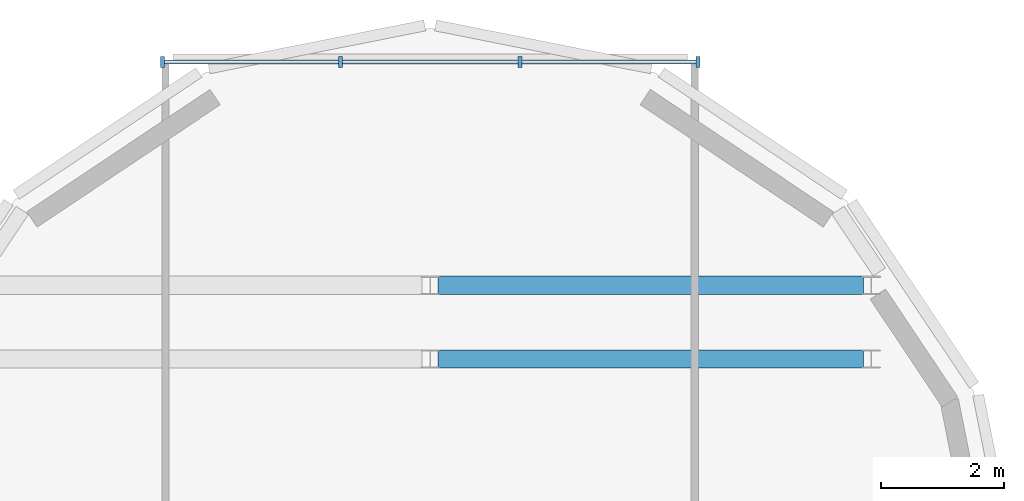
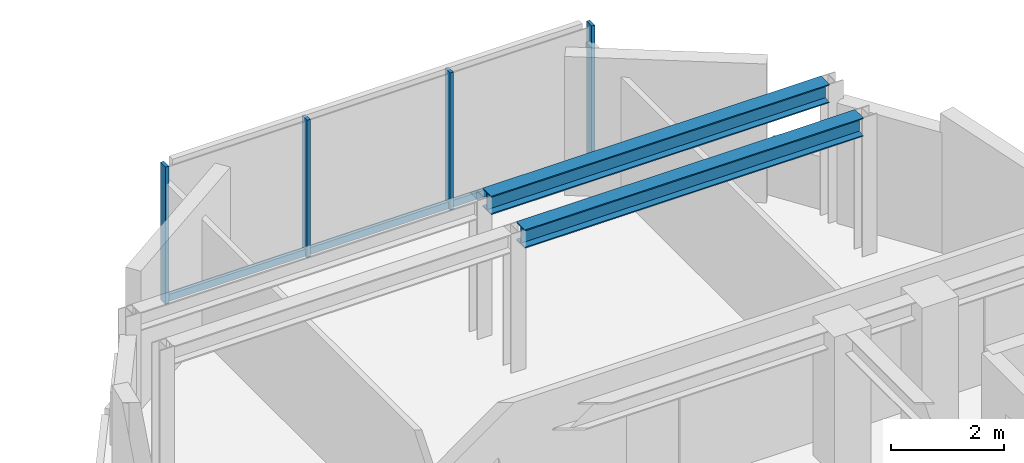
# One storey, part 6 of 12: 7 members, 2 beams, 1 element without a shape of its own.
"""IFC4 building model written with IfcOpenShell, lengths in metres."""

from ifc_helpers import new_model, si_unit, direction, frame, origin, origin_2d, place, context, subcontext, project, spatial, rectangle, i_section, extrude, source, transform, mapped, material, material_profile, profile_set, type_object, element, aggregate, save


model = new_model("IFC4")

# Units and contexts
model_context = context("Model", 3, precision=1e-05, world=origin(), true_north=direction((0.0, 1.0)))
body_context = subcontext(model_context, "Body", "Model", "MODEL_VIEW")
ifc_project = project(units=[si_unit("LENGTHUNIT", "METRE"), si_unit("AREAUNIT", "SQUARE_METRE"), si_unit("VOLUMEUNIT", "CUBIC_METRE"), si_unit("PLANEANGLEUNIT", "RADIAN"), si_unit("MASSUNIT", "GRAM", prefix="KILO")], contexts=[model_context])

# Site, building, storey
site_placement = place(None, origin())
site = spatial("IfcSite", under=ifc_project, at=site_placement, CompositionType="ELEMENT")
building_placement = place(site_placement, origin())
building = spatial("IfcBuilding", under=site, at=building_placement, Name="Keilestroom Media Tower", CompositionType="ELEMENT")
storey_placement = place(building_placement, frame((0.0, 0.0, 242.800048828125)))
storey = spatial("IfcBuildingStorey", under=building, at=storey_placement, Name="L67", CompositionType="ELEMENT", Elevation=242.800048828125)

# Beams
ifc_material_1 = material(Name="Steel S355", Category="steel")
ifc_material_profile_1 = material_profile(ifc_material_1, i_section(OverallWidth=0.300048828125, OverallDepth=0.39990234375, WebThickness=0.011474609375, FlangeThickness=0.02392578125, at=origin_2d()), Name="HEB 400")
ifc_profile_set_1 = profile_set([ifc_material_profile_1], Name="Steel S355")
beam_type = type_object("IfcBeamType", Name="Primary-Structural-Girder-HEB-400", PredefinedType="BEAM", material=ifc_profile_set_1)
shared_shape_1 = source(origin(), body_context, "Body", "SweptSolid", [
    extrude(i_section(OverallWidth=0.300048828125, OverallDepth=0.39990234375, WebThickness=0.011474609375, FlangeThickness=0.02392578125, at=origin_2d()), origin(), (0.0, 0.0, 1.0), 6.940185546875),
])
for number, where, z_axis, x_axis, name in (
    (1, (0.1298828125, 14.39990234375, 2.81005859375), (1.0, 0.0, 0.0), (0.0, 1.0, 0.0), "L67 Beam BG-8 BM-L67-EW-022"),
    (2, (0.1298828125, 15.60009765625, 2.81005859375), (1.0, 0.0, 0.0), (0.0, 1.0, 0.0), "L67 Beam BG-8 BM-L67-EW-024"),
):
    element("IfcBeam", number, at=place(storey_placement, frame(where, z_axis=z_axis, x_axis=x_axis)), inside=storey, type_object=beam_type, Name=name, PredefinedType="BEAM", context=body_context, shape_type="MappedRepresentation", body=[
        mapped(shared_shape_1, transform((0.0, 0.0, 0.0), x_axis=(1.0, 0.0, 0.0), y_axis=(0.0, 1.0, 0.0), z_axis=(0.0, 0.0, 1.0), scale=1.0)),
    ])

# Curtain wall, members
ifc_material_2 = material(Name="Anodised Aluminium Alloy", Category="aluminium")
curtain_wall_type = type_object("IfcCurtainWallType", Name="Unitised-Curtain-Wall-CW-6", PredefinedType="NOTDEFINED", material=ifc_material_2)
curtain_wall_placement = place(storey_placement, origin())
curtain_wall = element("IfcCurtainWall", 3, at=curtain_wall_placement, inside=storey, type_object=curtain_wall_type, Name="L67 Curtain Wall CW-6 CW-L67-LN-1", PredefinedType="NOTDEFINED")
ifc_material_profile_2 = material_profile(ifc_material_2, rectangle(XDim=0.06494140625, YDim=0.179931640625, at=origin_2d()), Name="ALU MULLION 65x180")
ifc_profile_set_2 = profile_set([ifc_material_profile_2], Name="Anodised Aluminium Alloy")
member_type_1 = type_object("IfcMemberType", Name="Curtain-Wall-Mullion-CW-6", PredefinedType="MULLION", material=ifc_profile_set_2)
shared_shape_2 = source(origin(), body_context, "Body", "SweptSolid", [
    extrude(rectangle(XDim=0.06494140625, YDim=0.179931640625, at=origin_2d()), origin(), (0.0, 0.0, 1.0), 2.97998046875),
])
member_1_placement = place(storey_placement, frame((-4.367431640625, 19.25, 0.0), z_axis=(0.0, 0.0, 1.0), x_axis=(1.0, 0.0, 0.0)))
member_1 = element("IfcMember", 4, at=member_1_placement, type_object=member_type_1, Name="CW-6 Mullion 00", PredefinedType="MULLION", context=body_context, shape_type="MappedRepresentation", body=[
    mapped(shared_shape_2, transform((0.0, 0.0, 0.0), x_axis=(1.0, 0.0, 0.0), y_axis=(0.0, 1.0, 0.0), z_axis=(0.0, 0.0, 1.0), scale=1.0)),
])
member_2_placement = place(storey_placement, frame((-1.466796875, 19.25, 0.0), z_axis=(0.0, 0.0, 1.0), x_axis=(1.0, 0.0, 0.0)))
member_2 = element("IfcMember", 5, at=member_2_placement, type_object=member_type_1, Name="CW-6 Mullion 01", PredefinedType="MULLION", context=body_context, shape_type="MappedRepresentation", body=[
    mapped(shared_shape_2, transform((0.0, 0.0, 0.0), x_axis=(1.0, 0.0, 0.0), y_axis=(0.0, 1.0, 0.0), z_axis=(0.0, 0.0, 1.0), scale=1.0)),
])
member_3_placement = place(storey_placement, frame((1.466796875, 19.25, 0.0), z_axis=(0.0, 0.0, 1.0), x_axis=(1.0, 0.0, 0.0)))
member_3 = element("IfcMember", 6, at=member_3_placement, type_object=member_type_1, Name="CW-6 Mullion 02", PredefinedType="MULLION", context=body_context, shape_type="MappedRepresentation", body=[
    mapped(shared_shape_2, transform((0.0, 0.0, 0.0), x_axis=(1.0, 0.0, 0.0), y_axis=(0.0, 1.0, 0.0), z_axis=(0.0, 0.0, 1.0), scale=1.0)),
])
member_4_placement = place(storey_placement, frame((4.367431640625, 19.25, 0.0), z_axis=(0.0, 0.0, 1.0), x_axis=(1.0, 0.0, 0.0)))
member_4 = element("IfcMember", 7, at=member_4_placement, type_object=member_type_1, Name="CW-6 Mullion 03", PredefinedType="MULLION", context=body_context, shape_type="MappedRepresentation", body=[
    mapped(shared_shape_2, transform((0.0, 0.0, 0.0), x_axis=(1.0, 0.0, 0.0), y_axis=(0.0, 1.0, 0.0), z_axis=(0.0, 0.0, 1.0), scale=1.0)),
])
ifc_material_profile_3 = material_profile(ifc_material_2, rectangle(XDim=0.06494140625, YDim=0.14990234375, at=origin_2d()), Name="ALU TRANSOM 65x150")
ifc_profile_set_3 = profile_set([ifc_material_profile_3], Name="Anodised Aluminium Alloy")
member_type_2 = type_object("IfcMemberType", Name="Curtain-Wall-Transom-CW-6", PredefinedType="USERDEFINED", material=ifc_profile_set_3)
shared_shape_3 = source(origin(), body_context, "Body", "SweptSolid", [
    extrude(rectangle(XDim=0.06494140625, YDim=0.14990234375, at=origin_2d()), origin(), (0.0, 0.0, 1.0), 2.839599609375),
])
member_5_placement = place(storey_placement, frame((-4.3369140625, 19.25, 0.074951171875), z_axis=(1.0, 0.0, 0.0), x_axis=(0.0, 1.0, 0.0)))
member_5 = element("IfcMember", 8, at=member_5_placement, type_object=member_type_2, Name="CW-6 Transom 00.1", ObjectType="TRANSOM", PredefinedType="USERDEFINED", context=body_context, shape_type="MappedRepresentation", body=[
    mapped(shared_shape_3, transform((0.0, 0.0, 0.0), x_axis=(1.0, 0.0, 0.0), y_axis=(0.0, 1.0, 0.0), z_axis=(0.0, 0.0, 1.0), scale=1.0)),
])
member_6_placement = place(storey_placement, frame((1.497314453125, 19.25, 0.074951171875), z_axis=(1.0, 0.0, 0.0), x_axis=(0.0, 1.0, 0.0)))
member_6 = element("IfcMember", 9, at=member_6_placement, type_object=member_type_2, Name="CW-6 Transom 02.1", ObjectType="TRANSOM", PredefinedType="USERDEFINED", context=body_context, shape_type="MappedRepresentation", body=[
    mapped(shared_shape_3, transform((0.0, 0.0, 0.0), x_axis=(1.0, 0.0, 0.0), y_axis=(0.0, 1.0, 0.0), z_axis=(0.0, 0.0, 1.0), scale=1.0)),
])
shared_shape_4 = source(origin(), body_context, "Body", "SweptSolid", [
    extrude(rectangle(XDim=0.06494140625, YDim=0.14990234375, at=origin_2d()), origin(), (0.0, 0.0, 1.0), 2.87255859375),
])
member_7_placement = place(storey_placement, frame((-1.436279296875, 19.25, 0.074951171875), z_axis=(1.0, 0.0, 0.0), x_axis=(0.0, 1.0, 0.0)))
member_7 = element("IfcMember", 10, at=member_7_placement, type_object=member_type_2, Name="CW-6 Transom 01.1", ObjectType="TRANSOM", PredefinedType="USERDEFINED", context=body_context, shape_type="MappedRepresentation", body=[
    mapped(shared_shape_4, transform((0.0, 0.0, 0.0), x_axis=(1.0, 0.0, 0.0), y_axis=(0.0, 1.0, 0.0), z_axis=(0.0, 0.0, 1.0), scale=1.0)),
])
aggregate(curtain_wall, [member_1, member_2, member_3, member_4, member_5, member_7, member_6])

save(model, "model.ifc")
